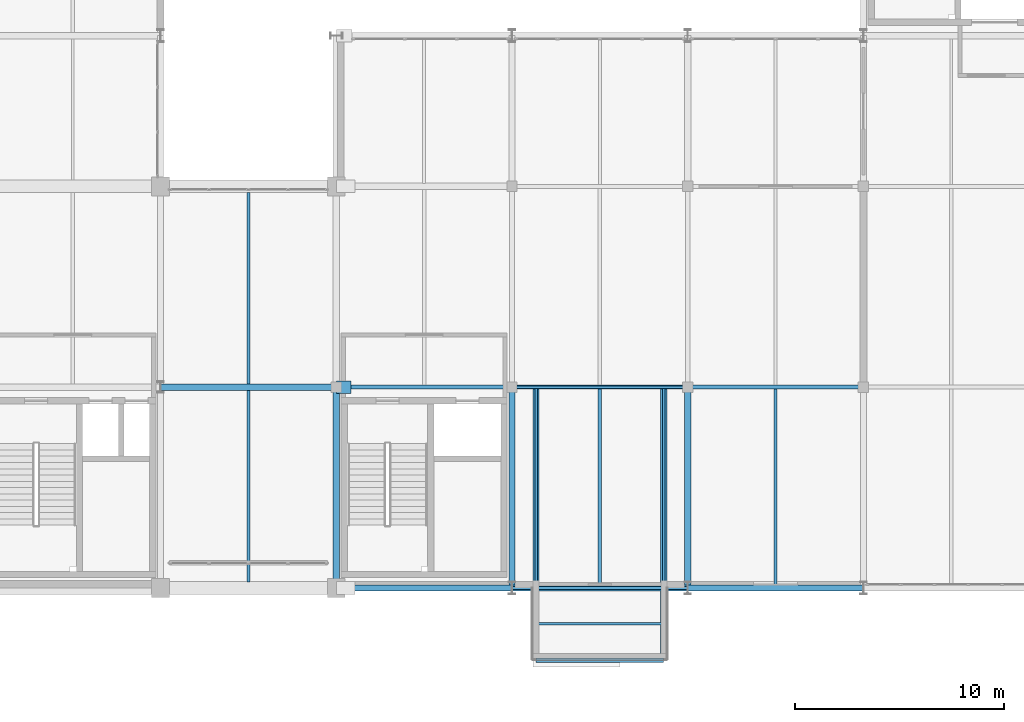
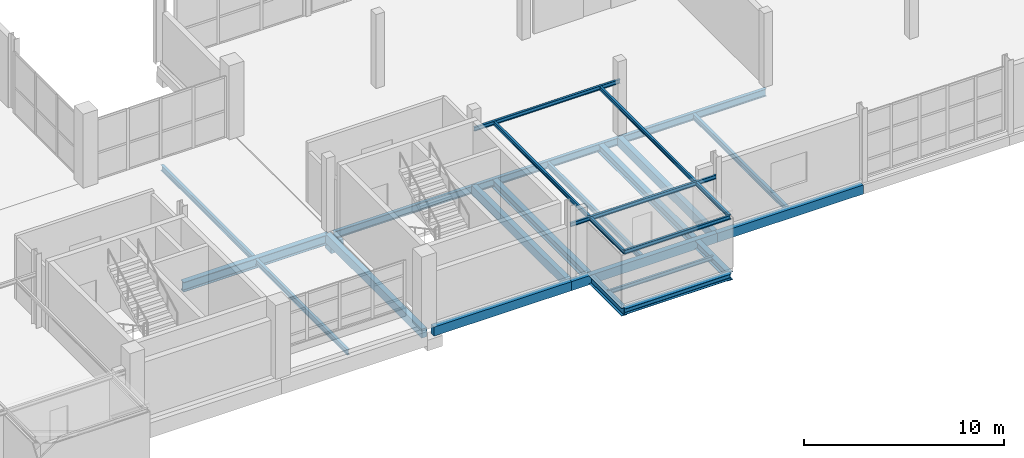
# One storey, part 40 of 109: 24 beams.
"""IFC4 building model written with IfcOpenShell, lengths in metres."""

from ifc_helpers import new_model, si_unit, direction, frame, origin, origin_2d, place, context, subcontext, project, spatial, rectangle, i_section, extrude, material, material_profile, profile_set, type_object, element, save


model = new_model("IFC4")

# Units and contexts
model_context = context("Model", 3, precision=1e-05, world=origin(), true_north=direction((0.0, 1.0)))
body_context = subcontext(model_context, "Body", "Model", "MODEL_VIEW")
ifc_project = project(units=[si_unit("LENGTHUNIT", "METRE"), si_unit("AREAUNIT", "SQUARE_METRE"), si_unit("VOLUMEUNIT", "CUBIC_METRE"), si_unit("PLANEANGLEUNIT", "RADIAN"), si_unit("MASSUNIT", "GRAM", prefix="KILO")], contexts=[model_context])

# Site, building, storey
site_placement = place(None, origin())
site = spatial("IfcSite", under=ifc_project, at=site_placement, CompositionType="ELEMENT")
building_placement = place(site_placement, origin())
building = spatial("IfcBuilding", under=site, at=building_placement, Name="Veltarok Museum of Natural Sciences", CompositionType="ELEMENT")
storey_placement = place(building_placement, frame((0.0, 0.0, 17.39990234375)))
storey = spatial("IfcBuildingStorey", under=building, at=storey_placement, Name="L03", CompositionType="ELEMENT", Elevation=17.39990234375)

# Beams
ifc_material_1 = material(Name="Steel S355J2", Category="steel")
ifc_material_profile_1 = material_profile(ifc_material_1, i_section(OverallWidth=0.300048828125, OverallDepth=0.5, WebThickness=0.014404296875, FlangeThickness=0.028076171875, FilletRadius=0.027099609375, at=origin_2d()), Name="HEB 500")
ifc_profile_set_1 = profile_set([ifc_material_profile_1], Name="Steel S355J2")
beam_type_1 = type_object("IfcBeamType", Name="Cabinet Box Cantilever Girder HEB 500", PredefinedType="BEAM", material=ifc_profile_set_1)
for number, where, z_axis, x_axis, name in (
    (1, (116.75, -3.39990234375, -0.5), (0.0, 1.0, 0.0), (-1.0, 0.0, 0.0), "Cabinet Cantilever Girder DB-18-1"),
    (2, (122.85009765625, -3.39990234375, -0.5), (0.0, 1.0, 0.0), (-1.0, 0.0, 0.0), "Cabinet Cantilever Girder DB-18-2"),
):
    element("IfcBeam", number, at=place(storey_placement, frame(where, z_axis=z_axis, x_axis=x_axis)), inside=storey, type_object=beam_type_1, Name=name, PredefinedType="BEAM", context=body_context, shape_type="SweptSolid", body=[
        extrude(i_section(OverallWidth=0.300048828125, OverallDepth=0.5, WebThickness=0.014404296875, FlangeThickness=0.028076171875, FilletRadius=0.027099609375, at=origin_2d()), origin(), (0.0, 0.0, 1.0), 13.0),
    ])
ifc_material_profile_2 = material_profile(ifc_material_1, i_section(OverallWidth=0.1201171875, OverallDepth=0.239990234375, WebThickness=0.006103515625, FlangeThickness=0.009765625, FilletRadius=0.014892578125, at=origin_2d()), Name="IPE 240")
ifc_profile_set_2 = profile_set([ifc_material_profile_2], Name="Steel S355J2")
beam_type_2 = type_object("IfcBeamType", Name="Cabinet Box Secondary Joist IPE 240", PredefinedType="JOIST", material=ifc_profile_set_2)
for number, where, z_axis, x_axis, name in (
    (3, (116.75, -3.39990234375, 3.130126953125), (0.0, 1.0, 0.0), (-1.0, 0.0, 0.0), "Cabinet Roof Rafter DB-18-1"),
    (4, (122.85009765625, -3.39990234375, 3.130126953125), (0.0, 1.0, 0.0), (-1.0, 0.0, 0.0), "Cabinet Roof Rafter DB-18-2"),
):
    element("IfcBeam", number, at=place(storey_placement, frame(where, z_axis=z_axis, x_axis=x_axis)), inside=storey, type_object=beam_type_2, Name=name, PredefinedType="JOIST", context=body_context, shape_type="SweptSolid", body=[
        extrude(i_section(OverallWidth=0.1201171875, OverallDepth=0.239990234375, WebThickness=0.006103515625, FlangeThickness=0.009765625, FilletRadius=0.014892578125, at=origin_2d()), origin(), (0.0, 0.0, 1.0), 13.0),
    ])
for number, where, z_axis, x_axis, name in (
    (5, (115.60009765625, 0.0, 3.130126953125), (1.0, 0.0, 0.0), (0.0, 1.0, 0.0), "Cabinet Roof Tie Beam DB-18-P"),
    (6, (115.60009765625, 9.60009765625, 3.130126953125), (1.0, 0.0, 0.0), (0.0, 1.0, 0.0), "Cabinet Roof Tie Beam DB-18-I"),
):
    element("IfcBeam", number, at=place(storey_placement, frame(where, z_axis=z_axis, x_axis=x_axis)), inside=storey, type_object=beam_type_2, Name=name, PredefinedType="JOIST", context=body_context, shape_type="SweptSolid", body=[
        extrude(i_section(OverallWidth=0.1201171875, OverallDepth=0.239990234375, WebThickness=0.006103515625, FlangeThickness=0.009765625, FilletRadius=0.014892578125, at=origin_2d()), origin(), (0.0, 0.0, 1.0), 8.39990234375),
    ])
for number, where, z_axis, x_axis, name in (
    (7, (116.75, -3.39990234375, 3.130126953125), (1.0, 0.0, 0.0), (0.0, 1.0, 0.0), "Cabinet Roof Tip Header DB-18"),
    (8, (116.75, -1.699951171875, -0.369873046875), (1.0, 0.0, 0.0), (0.0, 1.0, 0.0), "Cabinet Box Joist DB-18"),
):
    element("IfcBeam", number, at=place(storey_placement, frame(where, z_axis=z_axis, x_axis=x_axis)), inside=storey, type_object=beam_type_2, Name=name, PredefinedType="JOIST", context=body_context, shape_type="SweptSolid", body=[
        extrude(i_section(OverallWidth=0.1201171875, OverallDepth=0.239990234375, WebThickness=0.006103515625, FlangeThickness=0.009765625, FilletRadius=0.014892578125, at=origin_2d()), origin(), (0.0, 0.0, 1.0), 6.10009765625),
    ])
ifc_material_profile_3 = material_profile(ifc_material_1, i_section(OverallWidth=0.300048828125, OverallDepth=0.35009765625, WebThickness=0.010009765625, FlangeThickness=0.017578125, FilletRadius=0.027099609375, at=origin_2d()), Name="HEA 360")
ifc_profile_set_3 = profile_set([ifc_material_profile_3], Name="Steel S355J2")
beam_type_3 = type_object("IfcBeamType", Name="Cabinet Box Tip Header HEA 360", PredefinedType="BEAM", material=ifc_profile_set_3)
beam_1_placement = place(storey_placement, frame((116.75, -3.39990234375, -0.4248046875), z_axis=(1.0, 0.0, 0.0), x_axis=(0.0, 1.0, 0.0)))
element("IfcBeam", 9, at=beam_1_placement, inside=storey, type_object=beam_type_3, Name="Cabinet Tip Header DB-18", PredefinedType="BEAM", context=body_context, shape_type="SweptSolid", body=[
    extrude(i_section(OverallWidth=0.300048828125, OverallDepth=0.35009765625, WebThickness=0.010009765625, FlangeThickness=0.017578125, FilletRadius=0.027099609375, at=origin_2d()), origin(), (0.0, 0.0, 1.0), 6.10009765625),
])
ifc_material_2 = material(Name="Precast concrete C40/50", Category="concrete")
ifc_material_profile_4 = material_profile(ifc_material_2, rectangle(XDim=0.300048828125, YDim=0.550048828125, at=origin_2d()), Name="RC 300x550")
ifc_profile_set_4 = profile_set([ifc_material_profile_4], Name="Precast concrete C40/50")
beam_type_4 = type_object("IfcBeamType", Name="East Wing Precast Spandrel RC 300x550", PredefinedType="SPANDREL", material=ifc_profile_set_4)
beam_2_placement = place(storey_placement, frame((107.675048828125, 0.0, -0.52490234375), z_axis=(1.0, 0.0, 0.0), x_axis=(0.0, 1.0, 0.0)))
element("IfcBeam", 10, at=beam_2_placement, inside=storey, type_object=beam_type_4, Name="Beam BM-SP02 L03 13-14/A", PredefinedType="SPANDREL", context=body_context, shape_type="SweptSolid", body=[
    extrude(rectangle(XDim=0.300048828125, YDim=0.550048828125, at=origin_2d()), origin(), (0.0, 0.0, 1.0), 7.925048828125),
])
for number, where, z_axis, x_axis, name in (
    (11, (115.60009765625, 0.0, -0.52490234375), (1.0, 0.0, 0.0), (0.0, 1.0, 0.0), "Beam BM-SP02 L03 14-15/A"),
    (12, (124.0, 0.0, -0.52490234375), (1.0, 0.0, 0.0), (0.0, 1.0, 0.0), "Beam BM-SP02 L03 15-16/A"),
):
    element("IfcBeam", number, at=place(storey_placement, frame(where, z_axis=z_axis, x_axis=x_axis)), inside=storey, type_object=beam_type_4, Name=name, PredefinedType="SPANDREL", context=body_context, shape_type="SweptSolid", body=[
        extrude(rectangle(XDim=0.300048828125, YDim=0.550048828125, at=origin_2d()), origin(), (0.0, 0.0, 1.0), 8.39990234375),
    ])
for number, where, z_axis, x_axis, name in (
    (13, (107.199951171875, 0.0, -0.52490234375), (0.0, 1.0, 0.0), (-1.0, 0.0, 0.0), "Beam BM-SP02 L03 13/A-B"),
    (14, (115.60009765625, 0.0, -0.52490234375), (0.0, 1.0, 0.0), (-1.0, 0.0, 0.0), "Beam BM-SP02 L03 14/A-B"),
    (15, (124.0, 0.0, -0.52490234375), (0.0, 1.0, 0.0), (-1.0, 0.0, 0.0), "Beam BM-SP02 L03 15/A-B"),
):
    element("IfcBeam", number, at=place(storey_placement, frame(where, z_axis=z_axis, x_axis=x_axis)), inside=storey, type_object=beam_type_4, Name=name, PredefinedType="SPANDREL", context=body_context, shape_type="SweptSolid", body=[
        extrude(rectangle(XDim=0.300048828125, YDim=0.550048828125, at=origin_2d()), origin(), (0.0, 0.0, 1.0), 9.60009765625),
    ])
ifc_material_profile_5 = material_profile(ifc_material_1, i_section(OverallWidth=0.300048828125, OverallDepth=0.590087890625, WebThickness=0.012939453125, FlangeThickness=0.02490234375, FilletRadius=0.027099609375, at=origin_2d()), Name="HEA 600")
ifc_profile_set_5 = profile_set([ifc_material_profile_5], Name="Steel S355J2")
beam_type_5 = type_object("IfcBeamType", Name="Heavy Archive Girder HEA 600", PredefinedType="BEAM", material=ifc_profile_set_5)
beam_3_placement = place(storey_placement, frame((98.800048828125, 9.60009765625, -0.544921875), z_axis=(1.0, 0.0, 0.0), x_axis=(0.0, 1.0, 0.0)))
element("IfcBeam", 16, at=beam_3_placement, inside=storey, type_object=beam_type_5, Name="Beam BM-G07 L03 12-13/B", PredefinedType="BEAM", context=body_context, shape_type="SweptSolid", body=[
    extrude(i_section(OverallWidth=0.300048828125, OverallDepth=0.590087890625, WebThickness=0.012939453125, FlangeThickness=0.02490234375, FilletRadius=0.027099609375, at=origin_2d()), origin(), (0.0, 0.0, 1.0), 8.39990234375),
])
ifc_material_profile_6 = material_profile(ifc_material_1, i_section(OverallWidth=0.18994140625, OverallDepth=0.449951171875, WebThickness=0.009521484375, FlangeThickness=0.0146484375, FilletRadius=0.02099609375, at=origin_2d()), Name="IPE 450")
ifc_profile_set_6 = profile_set([ifc_material_profile_6], Name="Steel S355J2")
beam_type_6 = type_object("IfcBeamType", Name="Laboratory Floor Girder IPE 450", PredefinedType="BEAM", material=ifc_profile_set_6)
beam_4_placement = place(storey_placement, frame((107.5, 9.60009765625, -0.474853515625), z_axis=(1.0, 0.0, 0.0), x_axis=(0.0, 1.0, 0.0)))
element("IfcBeam", 17, at=beam_4_placement, inside=storey, type_object=beam_type_6, Name="Beam BM-G05 L03 13-14/B", PredefinedType="BEAM", context=body_context, shape_type="SweptSolid", body=[
    extrude(i_section(OverallWidth=0.18994140625, OverallDepth=0.449951171875, WebThickness=0.009521484375, FlangeThickness=0.0146484375, FilletRadius=0.02099609375, at=origin_2d()), origin(), (0.0, 0.0, 1.0), 8.10009765625),
])
for number, where, z_axis, x_axis, name in (
    (18, (115.60009765625, 9.60009765625, -0.474853515625), (1.0, 0.0, 0.0), (0.0, 1.0, 0.0), "Beam BM-G05 L03 14-15/B"),
    (19, (124.0, 9.60009765625, -0.474853515625), (1.0, 0.0, 0.0), (0.0, 1.0, 0.0), "Beam BM-G05 L03 15-16/B"),
):
    element("IfcBeam", number, at=place(storey_placement, frame(where, z_axis=z_axis, x_axis=x_axis)), inside=storey, type_object=beam_type_6, Name=name, PredefinedType="BEAM", context=body_context, shape_type="SweptSolid", body=[
        extrude(i_section(OverallWidth=0.18994140625, OverallDepth=0.449951171875, WebThickness=0.009521484375, FlangeThickness=0.0146484375, FilletRadius=0.02099609375, at=origin_2d()), origin(), (0.0, 0.0, 1.0), 8.39990234375),
    ])
ifc_material_profile_7 = material_profile(ifc_material_1, i_section(OverallWidth=0.159912109375, OverallDepth=0.330078125, WebThickness=0.007568359375, FlangeThickness=0.011474609375, FilletRadius=0.01806640625, at=origin_2d()), Name="IPE 330")
ifc_profile_set_7 = profile_set([ifc_material_profile_7], Name="Steel S355J2")
beam_type_7 = type_object("IfcBeamType", Name="Medium-Bay Composite Joist IPE 330", PredefinedType="JOIST", material=ifc_profile_set_7)
beam_5_placement = place(storey_placement, frame((103.0, 0.298095703125, -0.414794921875), z_axis=(0.0, 1.0, 0.0), x_axis=(-1.0, 0.0, 0.0)))
element("IfcBeam", 20, at=beam_5_placement, inside=storey, type_object=beam_type_7, Name="Secondary Joist BM-J02 L03 12-13/A-B.1", PredefinedType="JOIST", context=body_context, shape_type="SweptSolid", body=[
    extrude(i_section(OverallWidth=0.159912109375, OverallDepth=0.330078125, WebThickness=0.007568359375, FlangeThickness=0.011474609375, FilletRadius=0.01806640625, at=origin_2d()), origin(), (0.0, 0.0, 1.0), 9.15380859375),
])
beam_6_placement = place(storey_placement, frame((103.0, 9.748046875, -0.414794921875), z_axis=(0.0, 1.0, 0.0), x_axis=(-1.0, 0.0, 0.0)))
element("IfcBeam", 21, at=beam_6_placement, inside=storey, type_object=beam_type_7, Name="Secondary Joist BM-J02 L03 12-13/B-C.1", PredefinedType="JOIST", context=body_context, shape_type="SweptSolid", body=[
    extrude(i_section(OverallWidth=0.159912109375, OverallDepth=0.330078125, WebThickness=0.007568359375, FlangeThickness=0.011474609375, FilletRadius=0.01806640625, at=origin_2d()), origin(), (0.0, 0.0, 1.0), 9.154052734375),
])
for number, where, z_axis, x_axis, name in (
    (22, (119.800048828125, 0.14794921875, -0.414794921875), (0.0, 1.0, 0.0), (-1.0, 0.0, 0.0), "Secondary Joist BM-J02 L03 14-15/A-B.1"),
    (23, (128.199951171875, 0.14794921875, -0.414794921875), (0.0, 1.0, 0.0), (-1.0, 0.0, 0.0), "Secondary Joist BM-J02 L03 15-16/A-B.1"),
):
    element("IfcBeam", number, at=place(storey_placement, frame(where, z_axis=z_axis, x_axis=x_axis)), inside=storey, type_object=beam_type_7, Name=name, PredefinedType="JOIST", context=body_context, shape_type="SweptSolid", body=[
        extrude(i_section(OverallWidth=0.159912109375, OverallDepth=0.330078125, WebThickness=0.007568359375, FlangeThickness=0.011474609375, FilletRadius=0.01806640625, at=origin_2d()), origin(), (0.0, 0.0, 1.0), 9.359130859375),
    ])
ifc_material_3 = material(Name="Concrete C40/50", Category="concrete")
ifc_material_profile_8 = material_profile(ifc_material_3, rectangle(XDim=0.60009765625, YDim=0.64990234375, at=origin_2d()), Name="RC 600x650")
ifc_profile_set_8 = profile_set([ifc_material_profile_8], Name="Concrete C40/50")
beam_type_8 = type_object("IfcBeamType", Name="Movement Joint Sliding Corbel RC 600x650", PredefinedType="BEAM", material=ifc_profile_set_8)
beam_7_placement = place(storey_placement, frame((107.199951171875, 9.60009765625, -1.02490234375), z_axis=(1.0, 0.0, 0.0), x_axis=(0.0, 1.0, 0.0)))
element("IfcBeam", 24, at=beam_7_placement, inside=storey, type_object=beam_type_8, Name="Movement Joint Corbel L03 13/B", PredefinedType="BEAM", context=body_context, shape_type="SweptSolid", body=[
    extrude(rectangle(XDim=0.60009765625, YDim=0.64990234375, at=origin_2d()), origin(), (0.0, 0.0, 1.0), 0.7099609375),
])

save(model, "model.ifc")
